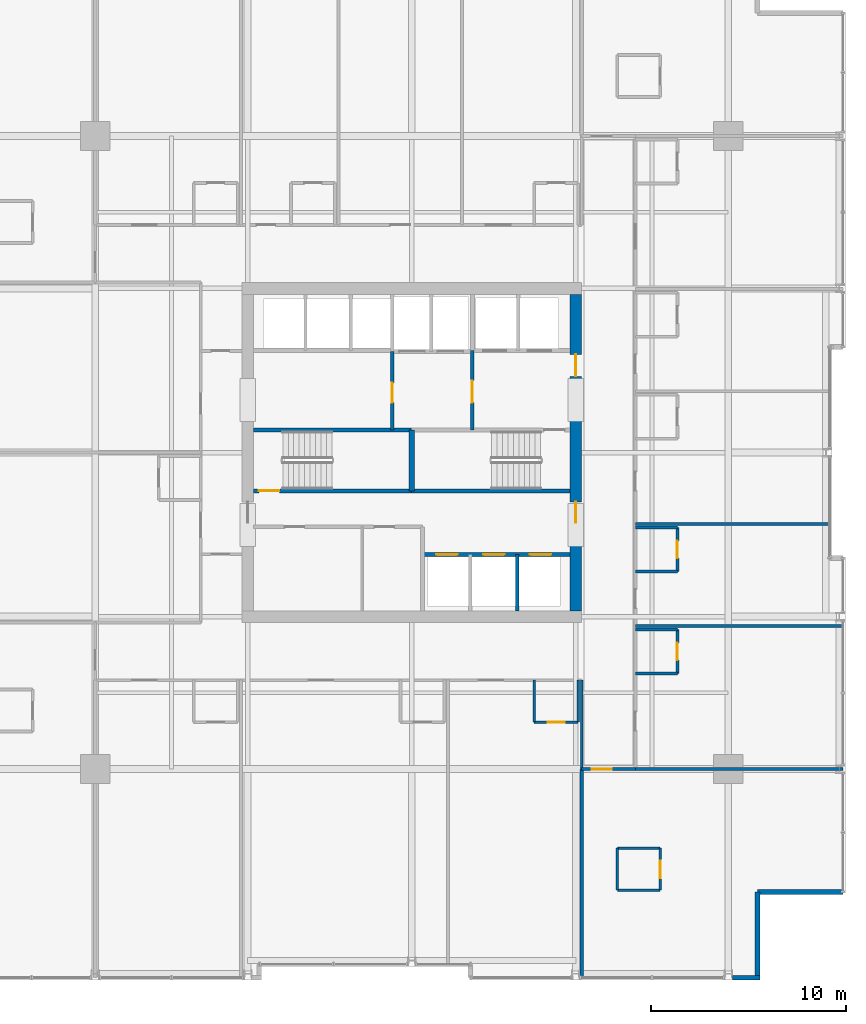
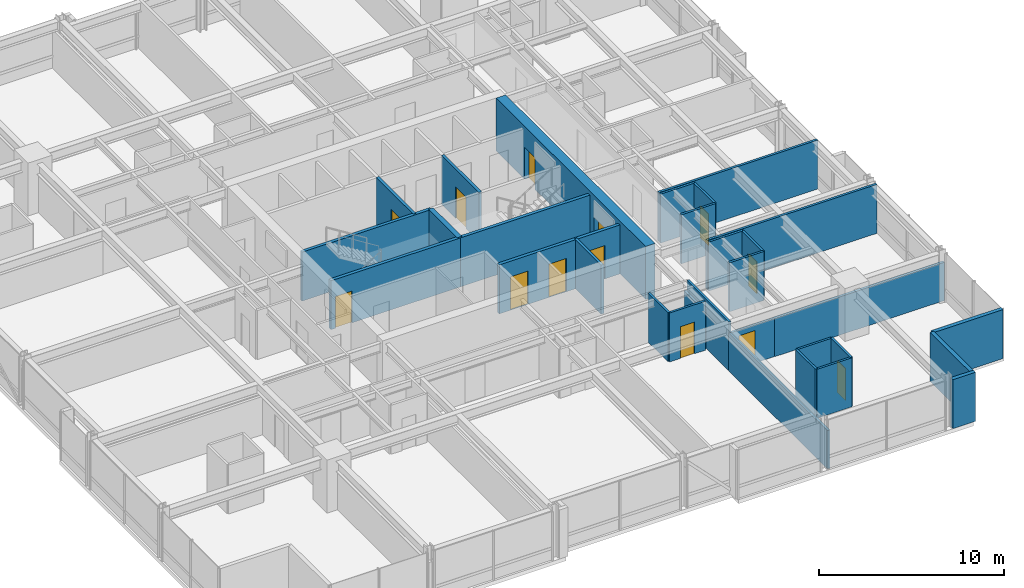
# One storey, part 29 of 35: 31 walls, 13 doors, 13 openings.
"""IFC4 building model written with IfcOpenShell, lengths in metres."""

from ifc_helpers import new_model, si_unit, direction, frame, frame_2d, origin, place, context, subcontext, project, spatial, rectangle, extrude, material, layer, layer_set, type_object, element, fill, save


model = new_model("IFC4")

# Units and contexts
model_context = context("Model", 3, precision=1e-05, world=origin(), true_north=direction((0.0, 1.0)))
body_context = subcontext(model_context, "Body", "Model", "MODEL_VIEW")
ifc_project = project(units=[si_unit("LENGTHUNIT", "METRE"), si_unit("AREAUNIT", "SQUARE_METRE"), si_unit("VOLUMEUNIT", "CUBIC_METRE"), si_unit("PLANEANGLEUNIT", "RADIAN"), si_unit("MASSUNIT", "GRAM", prefix="KILO")], contexts=[model_context])

# Site, building, storey
site_placement = place(None, origin())
site = spatial("IfcSite", under=ifc_project, at=site_placement, CompositionType="ELEMENT")
building_placement = place(site_placement, origin())
building = spatial("IfcBuilding", under=site, at=building_placement, Name="Drelvath Grand Hotel", CompositionType="ELEMENT")
storey_placement = place(building_placement, frame((0.0, 0.0, 130.300048828125)))
storey = spatial("IfcBuildingStorey", under=building, at=storey_placement, Name="L33", CompositionType="ELEMENT", Elevation=130.300048828125)

# Wall, openings, doors
ifc_material_1 = material(Name="Concrete C40/50", Category="concrete")
ifc_layer_1 = layer(ifc_material_1, 0.199951171875)
ifc_layer_set_1 = layer_set([ifc_layer_1], Name="Concrete C40/50")
wall_type_1 = type_object("IfcWallType", Name="Core Hoistway Fire Wall 200", PredefinedType="SOLIDWALL", material=ifc_layer_set_1)
wall_1_placement = place(storey_placement, frame((8.10009765625, 21.780029296875, 0.0), z_axis=(0.0, 0.0, 1.0), x_axis=(-1.0, 0.0, 0.0)))
wall_1 = element("IfcWall", 1, at=wall_1_placement, inside=storey, type_object=wall_type_1, Name="L33 Bank 2 Hoistway Wall", PredefinedType="SOLIDWALL", context=body_context, shape_type="SweptSolid", body=[
    extrude(rectangle(XDim=7.550048828125, YDim=0.199951171875, at=frame_2d((3.77490234375, 0.0))), origin(), (0.0, 0.0, 1.0), 3.239990234375),
])
opening_1_placement = place(wall_1_placement, frame((5.75, 0.0, 0.0)))
opening_1 = element("IfcOpeningElement", 2, at=opening_1_placement, cuts=wall_1, Name="Opening LD-PE-4", PredefinedType="OPENING", context=body_context, shape_type="SweptSolid", body=[
    extrude(rectangle(XDim=1.10009765625, YDim=2.199951171875, at=frame_2d((0.550048828125, 1.10009765625))), frame((0.0, 0.10986328125, 0.0), z_axis=(0.0, -1.0, 0.0), x_axis=(1.0, 0.0, 0.0)), (0.0, 0.0, 1.0), 0.219970703125),
])
opening_2_placement = place(wall_1_placement, frame((3.35009765625, 0.0, 0.0)))
opening_2 = element("IfcOpeningElement", 3, at=opening_2_placement, cuts=wall_1, Name="Opening LD-PE-5", PredefinedType="OPENING", context=body_context, shape_type="SweptSolid", body=[
    extrude(rectangle(XDim=1.10009765625, YDim=2.199951171875, at=frame_2d((0.550048828125, 1.10009765625))), frame((0.0, 0.10986328125, 0.0), z_axis=(0.0, -1.0, 0.0), x_axis=(1.0, 0.0, 0.0)), (0.0, 0.0, 1.0), 0.219970703125),
])
opening_3_placement = place(wall_1_placement, frame((0.949951171875, 0.0, 0.0)))
opening_3 = element("IfcOpeningElement", 4, at=opening_3_placement, cuts=wall_1, Name="Opening LD-PE-6", PredefinedType="OPENING", context=body_context, shape_type="SweptSolid", body=[
    extrude(rectangle(XDim=1.10009765625, YDim=2.199951171875, at=frame_2d((0.550048828125, 1.10009765625))), frame((0.0, 0.10986328125, 0.0), z_axis=(0.0, -1.0, 0.0), x_axis=(1.0, 0.0, 0.0)), (0.0, 0.0, 1.0), 0.219970703125),
])
ifc_material_2 = material(Name="Stainless Steel S355", Category="steel")
door_type_1 = type_object("IfcDoorType", Name="Passenger Lift Sliding Landing Door 1100x2200", OperationType="NOTDEFINED", PredefinedType="DOOR", material=ifc_material_2)
door_1_placement = place(opening_1_placement, origin())
door_1 = element("IfcDoor", 5, at=door_1_placement, inside=storey, type_object=door_type_1, Name="L33 Lift PE-4 Landing Door", OperationType="SLIDING_TO_LEFT", OverallHeight=2.199951171875, OverallWidth=1.10009765625, PredefinedType="DOOR", context=body_context, shape_type="SweptSolid", body=[
    extrude(rectangle(XDim=1.10009765625, YDim=2.199951171875, at=frame_2d((0.550048828125, 1.10009765625))), frame((0.0, 0.02490234375, 0.0), z_axis=(0.0, -1.0, 0.0), x_axis=(1.0, 0.0, 0.0)), (0.0, 0.0, 1.0), 0.050048828125),
])
fill(opening_1, door_1)
door_2_placement = place(opening_2_placement, origin())
door_2 = element("IfcDoor", 6, at=door_2_placement, inside=storey, type_object=door_type_1, Name="L33 Lift PE-5 Landing Door", OperationType="SLIDING_TO_LEFT", OverallHeight=2.199951171875, OverallWidth=1.10009765625, PredefinedType="DOOR", context=body_context, shape_type="SweptSolid", body=[
    extrude(rectangle(XDim=1.10009765625, YDim=2.199951171875, at=frame_2d((0.550048828125, 1.10009765625))), frame((0.0, 0.02490234375, 0.0), z_axis=(0.0, -1.0, 0.0), x_axis=(1.0, 0.0, 0.0)), (0.0, 0.0, 1.0), 0.050048828125),
])
fill(opening_2, door_2)
door_3_placement = place(opening_3_placement, origin())
door_3 = element("IfcDoor", 7, at=door_3_placement, inside=storey, type_object=door_type_1, Name="L33 Lift PE-6 Landing Door", OperationType="SLIDING_TO_LEFT", OverallHeight=2.199951171875, OverallWidth=1.10009765625, PredefinedType="DOOR", context=body_context, shape_type="SweptSolid", body=[
    extrude(rectangle(XDim=1.10009765625, YDim=2.199951171875, at=frame_2d((0.550048828125, 1.10009765625))), frame((0.0, 0.02490234375, 0.0), z_axis=(0.0, -1.0, 0.0), x_axis=(1.0, 0.0, 0.0)), (0.0, 0.0, 1.0), 0.050048828125),
])
fill(opening_3, door_3)

# Wall, opening, door
ifc_layer_2 = layer(ifc_material_1, 0.199951171875)
ifc_layer_set_2 = layer_set([ifc_layer_2], Name="Concrete C40/50")
wall_type_2 = type_object("IfcWallType", Name="Core Shaft Fire Wall 200", PredefinedType="SOLIDWALL", material=ifc_layer_set_2)
wall_2_placement = place(storey_placement, frame((-8.10009765625, 25.0400390625, 0.0), z_axis=(0.0, 0.0, 1.0), x_axis=(1.0, 0.0, 0.0)))
wall_2 = element("IfcWall", 8, at=wall_2_placement, inside=storey, type_object=wall_type_2, Name="L33 Stair ST-1 South Wall", PredefinedType="SOLIDWALL", context=body_context, shape_type="SweptSolid", body=[
    extrude(rectangle(XDim=8.10009765625, YDim=0.199951171875, at=frame_2d((4.050048828125, 0.0))), origin(), (0.0, 0.0, 1.0), 3.239990234375),
])
opening_4_placement = place(wall_2_placement, frame((0.280029296875, 0.0, 0.0)))
opening_4 = element("IfcOpeningElement", 9, at=opening_4_placement, cuts=wall_2, Name="Opening D-T2G4-001", PredefinedType="OPENING", context=body_context, shape_type="SweptSolid", body=[
    extrude(rectangle(XDim=1.050048828125, YDim=2.10009765625, at=frame_2d((0.52490234375, 1.050048828125))), frame((0.0, 0.10986328125, 0.0), z_axis=(0.0, -1.0, 0.0), x_axis=(1.0, 0.0, 0.0)), (0.0, 0.0, 1.0), 0.219970703125),
])
ifc_material_3 = material(Name="Painted Steel S275", Category="steel")
door_type_2 = type_object("IfcDoorType", Name="Tower Stairwell Fire Door 1050x2100", OperationType="NOTDEFINED", PredefinedType="DOOR", material=ifc_material_3)
door_4_placement = place(opening_4_placement, origin())
door_4 = element("IfcDoor", 10, at=door_4_placement, inside=storey, type_object=door_type_2, Name="L33 Exit Stair ST-1 Door", OperationType="SINGLE_SWING_LEFT", OverallHeight=2.10009765625, OverallWidth=1.050048828125, PredefinedType="DOOR", context=body_context, shape_type="SweptSolid", body=[
    extrude(rectangle(XDim=1.050048828125, YDim=2.10009765625, at=frame_2d((0.52490234375, 1.050048828125))), frame((0.0, 0.02490234375, 0.0), z_axis=(0.0, -1.0, 0.0), x_axis=(1.0, 0.0, 0.0)), (0.0, 0.0, 1.0), 0.050048828125),
])
fill(opening_4, door_4)

# Walls
for number, where, z_axis, x_axis, name in (
    (11, (-8.10009765625, 28.159912109375, 0.0), (0.0, 0.0, 1.0), (1.0, 0.0, 0.0), "L33 Stair ST-1 North Wall"),
    (12, (0.0, 25.0400390625, 0.0), (0.0, 0.0, 1.0), (1.0, 0.0, 0.0), "L33 Stair ST-2 South Wall"),
):
    element("IfcWall", number, at=place(storey_placement, frame(where, z_axis=z_axis, x_axis=x_axis)), inside=storey, type_object=wall_type_2, Name=name, PredefinedType="SOLIDWALL", context=body_context, shape_type="SweptSolid", body=[
        extrude(rectangle(XDim=8.10009765625, YDim=0.199951171875, at=frame_2d((4.050048828125, 0.0))), origin(), (0.0, 0.0, 1.0), 3.239990234375),
    ])
ifc_layer_3 = layer(ifc_material_1, 0.300048828125)
ifc_layer_set_3 = layer_set([ifc_layer_3], Name="Concrete C40/50")
wall_type_3 = type_object("IfcWallType", Name="Core Shaft Fire Wall 300", PredefinedType="SOLIDWALL", material=ifc_layer_set_3)
wall_3_placement = place(storey_placement, frame((0.0, 25.0400390625, 0.0), z_axis=(0.0, 0.0, 1.0), x_axis=(0.0, 1.0, 0.0)))
element("IfcWall", 13, at=wall_3_placement, inside=storey, type_object=wall_type_3, Name="L33 Core Stair Divider Wall", PredefinedType="SOLIDWALL", context=body_context, shape_type="SweptSolid", body=[
    extrude(rectangle(XDim=3.119873046875, YDim=0.300048828125, at=frame_2d((1.56005859375, 0.0))), origin(), (0.0, 0.0, 1.0), 3.239990234375),
])
ifc_material_4 = material(Name="Gypsum Fireboard Partition")
ifc_layer_4 = layer(ifc_material_4, 0.1650390625)
ifc_layer_set_4 = layer_set([ifc_layer_4], Name="Gypsum Fireboard Partition")
wall_type_4 = type_object("IfcWallType", Name="Core Shaft Partition 165", PredefinedType="PARTITIONING", material=ifc_layer_set_4)
wall_4_placement = place(storey_placement, frame((5.39990234375, 18.89990234375, 0.0), z_axis=(0.0, 0.0, 1.0), x_axis=(0.0, 1.0, 0.0)))
element("IfcWall", 14, at=wall_4_placement, inside=storey, type_object=wall_type_4, Name="L33 Lift PE-5/6 Divider", PredefinedType="PARTITIONING", context=body_context, shape_type="SweptSolid", body=[
    extrude(rectangle(XDim=2.880126953125, YDim=0.1650390625, at=frame_2d((1.43994140625, 0.0))), origin(), (0.0, 0.0, 1.0), 3.239990234375),
])
ifc_layer_5 = layer(ifc_material_4, 0.135009765625)
ifc_layer_set_5 = layer_set([ifc_layer_5], Name="Gypsum Fireboard Partition")
wall_type_5 = type_object("IfcWallType", Name="Corridor Fire Barrier Wall 135", PredefinedType="PARTITIONING", material=ifc_layer_set_5)
wall_5_placement = place(storey_placement, frame((8.699951171875, 10.800048828125, 0.0), z_axis=(0.0, 0.0, 1.0), x_axis=(0.0, 1.0, 0.0)))
element("IfcWall", 15, at=wall_5_placement, inside=storey, type_object=wall_type_5, Name="L33 East Spine South Inner Wall", PredefinedType="PARTITIONING", context=body_context, shape_type="SweptSolid", body=[
    extrude(rectangle(XDim=4.550048828125, YDim=0.135009765625, at=frame_2d((2.27490234375, 0.0))), origin(), (0.0, 0.0, 1.0), 3.239990234375),
])

# Wall, opening, door
wall_6_placement = place(storey_placement, frame((8.699951171875, 10.800048828125, 0.0), z_axis=(0.0, 0.0, 1.0), x_axis=(1.0, 0.0, 0.0)))
wall_6 = element("IfcWall", 16, at=wall_6_placement, inside=storey, type_object=wall_type_5, Name="L33 East Spine South End", PredefinedType="PARTITIONING", context=body_context, shape_type="SweptSolid", body=[
    extrude(rectangle(XDim=2.75, YDim=0.135009765625, at=frame_2d((1.375, 0.0))), origin(), (0.0, 0.0, 1.0), 2.529541015625),
])
opening_5_placement = place(wall_6_placement, frame((0.52001953125, 0.0, 0.0)))
opening_5 = element("IfcOpeningElement", 17, at=opening_5_placement, cuts=wall_6, Name="Opening D-T2G4-024", PredefinedType="OPENING", context=body_context, shape_type="SweptSolid", body=[
    extrude(rectangle(XDim=1.02001953125, YDim=2.14990234375, at=frame_2d((0.510009765625, 1.074951171875))), frame((0.0, 0.077392578125, 0.0), z_axis=(0.0, -1.0, 0.0), x_axis=(1.0, 0.0, 0.0)), (0.0, 0.0, 1.0), 0.155029296875),
])
ifc_material_5 = material(Name="Hardwood Walnut Timber", Category="wood")
door_type_3 = type_object("IfcDoorType", Name="Amenity Meeting Fire Door 1020x2150", OperationType="NOTDEFINED", PredefinedType="DOOR", material=ifc_material_5)
door_5_placement = place(opening_5_placement, origin())
door_5 = element("IfcDoor", 18, at=door_5_placement, inside=storey, type_object=door_type_3, Name="L33 Corner Suite Entry Door", OperationType="SINGLE_SWING_LEFT", OverallHeight=2.14990234375, OverallWidth=1.02001953125, PredefinedType="DOOR", context=body_context, shape_type="SweptSolid", body=[
    extrude(rectangle(XDim=1.02001953125, YDim=2.14990234375, at=frame_2d((0.510009765625, 1.074951171875))), frame((0.0, 0.02490234375, 0.0), z_axis=(0.0, -1.0, 0.0), x_axis=(1.0, 0.0, 0.0)), (0.0, 0.0, 1.0), 0.050048828125),
])
fill(opening_5, door_5)

# Walls
ifc_material_6 = material(Name="Moisture-Resistant Gypsum Board")
ifc_layer_6 = layer(ifc_material_6, 0.139892578125)
ifc_layer_set_6 = layer_set([ifc_layer_6], Name="Moisture-Resistant Gypsum Board")
wall_type_6 = type_object("IfcWallType", Name="En-Suite Plumbing Wall 140", PredefinedType="PLUMBINGWALL", material=ifc_layer_set_6)
for number, where, z_axis, x_axis, name in (
    (19, (10.52001953125, 4.60009765625, 0.0), (0.0, 0.0, 1.0), (1.0, 0.0, 0.0), "L33 Corner En-Suite South"),
    (20, (10.52001953125, 6.75, 0.0), (0.0, 0.0, 1.0), (1.0, 0.0, 0.0), "L33 Corner En-Suite North"),
):
    element("IfcWall", number, at=place(storey_placement, frame(where, z_axis=z_axis, x_axis=x_axis)), inside=storey, type_object=wall_type_6, Name=name, PredefinedType="PLUMBINGWALL", context=body_context, shape_type="SweptSolid", body=[
        extrude(rectangle(XDim=2.199951171875, YDim=0.139892578125, at=frame_2d((1.10009765625, 0.0))), origin(), (0.0, 0.0, 1.0), 3.239990234375),
    ])
wall_7_placement = place(storey_placement, frame((10.52001953125, 4.60009765625, 0.0), z_axis=(0.0, 0.0, 1.0), x_axis=(0.0, 1.0, 0.0)))
element("IfcWall", 21, at=wall_7_placement, inside=storey, type_object=wall_type_6, Name="L33 Corner En-Suite West", PredefinedType="PLUMBINGWALL", context=body_context, shape_type="SweptSolid", body=[
    extrude(rectangle(XDim=2.14990234375, YDim=0.139892578125, at=frame_2d((1.074951171875, 0.0))), origin(), (0.0, 0.0, 1.0), 3.239990234375),
])

# Wall, opening, door
wall_8_placement = place(storey_placement, frame((12.719970703125, 4.60009765625, 0.0), z_axis=(0.0, 0.0, 1.0), x_axis=(0.0, 1.0, 0.0)))
wall_8 = element("IfcWall", 22, at=wall_8_placement, inside=storey, type_object=wall_type_6, Name="L33 Corner En-Suite East", PredefinedType="PLUMBINGWALL", context=body_context, shape_type="SweptSolid", body=[
    extrude(rectangle(XDim=2.14990234375, YDim=0.139892578125, at=frame_2d((1.074951171875, 0.0))), origin(), (0.0, 0.0, 1.0), 3.239990234375),
])
opening_6_placement = place(wall_8_placement, frame((0.6201171875, 0.0, 0.0)))
opening_6 = element("IfcOpeningElement", 23, at=opening_6_placement, cuts=wall_8, Name="Opening D-T2G4-023", PredefinedType="OPENING", context=body_context, shape_type="SweptSolid", body=[
    extrude(rectangle(XDim=0.8798828125, YDim=2.10009765625, at=frame_2d((0.43994140625, 1.050048828125))), frame((0.0, 0.079833984375, 0.0), z_axis=(0.0, -1.0, 0.0), x_axis=(1.0, 0.0, 0.0)), (0.0, 0.0, 1.0), 0.159912109375),
])
door_type_4 = type_object("IfcDoorType", Name="En-Suite Bathroom Door 880x2100", OperationType="NOTDEFINED", PredefinedType="DOOR", material=ifc_material_5)
door_6_placement = place(opening_6_placement, origin())
door_6 = element("IfcDoor", 24, at=door_6_placement, inside=storey, type_object=door_type_4, Name="L33 Corner En-Suite Door", OperationType="SINGLE_SWING_RIGHT", OverallHeight=2.10009765625, OverallWidth=0.8798828125, PredefinedType="DOOR", context=body_context, shape_type="SweptSolid", body=[
    extrude(rectangle(XDim=0.8798828125, YDim=2.10009765625, at=frame_2d((0.43994140625, 1.050048828125))), frame((0.0, 0.02490234375, 0.0), z_axis=(0.0, -1.0, 0.0), x_axis=(1.0, 0.0, 0.0)), (0.0, 0.0, 1.0), 0.050048828125),
])
fill(opening_6, door_6)

# Walls
wall_9_placement = place(storey_placement, frame((6.27001953125, 15.35009765625, 0.0), z_axis=(0.0, 0.0, 1.0), x_axis=(0.0, -1.0, 0.0)))
element("IfcWall", 25, at=wall_9_placement, inside=storey, type_object=wall_type_6, Name="L33 En-Suite Left Wall", PredefinedType="PLUMBINGWALL", context=body_context, shape_type="SweptSolid", body=[
    extrude(rectangle(XDim=2.150146484375, YDim=0.139892578125, at=frame_2d((1.0751953125, 0.0))), origin(), (0.0, 0.0, 1.0), 3.239990234375),
])
wall_10_placement = place(storey_placement, frame((8.52001953125, 15.35009765625, 0.0), z_axis=(0.0, 0.0, 1.0), x_axis=(0.0, -1.0, 0.0)))
element("IfcWall", 26, at=wall_10_placement, inside=storey, type_object=wall_type_6, Name="L33 En-Suite Right Wall", PredefinedType="PLUMBINGWALL", context=body_context, shape_type="SweptSolid", body=[
    extrude(rectangle(XDim=2.150146484375, YDim=0.139892578125, at=frame_2d((1.0751953125, 0.0))), origin(), (0.0, 0.0, 1.0), 2.617431640625),
])

# Wall, opening, door
wall_11_placement = place(storey_placement, frame((6.27001953125, 13.199951171875, 0.0), z_axis=(0.0, 0.0, 1.0), x_axis=(1.0, 0.0, 0.0)))
wall_11 = element("IfcWall", 27, at=wall_11_placement, inside=storey, type_object=wall_type_6, Name="L33 En-Suite Front Wall", PredefinedType="PLUMBINGWALL", context=body_context, shape_type="SweptSolid", body=[
    extrude(rectangle(XDim=2.25, YDim=0.139892578125, at=frame_2d((1.125, 0.0))), origin(), (0.0, 0.0, 1.0), 3.239990234375),
])
opening_7_placement = place(wall_11_placement, frame((0.68505859375, 0.0, 0.0)))
opening_7 = element("IfcOpeningElement", 28, at=opening_7_placement, cuts=wall_11, Name="Opening D-T2G4-031", PredefinedType="OPENING", context=body_context, shape_type="SweptSolid", body=[
    extrude(rectangle(XDim=0.8798828125, YDim=2.10009765625, at=frame_2d((0.43994140625, 1.050048828125))), frame((0.0, 0.079833984375, 0.0), z_axis=(0.0, -1.0, 0.0), x_axis=(1.0, 0.0, 0.0)), (0.0, 0.0, 1.0), 0.159912109375),
])
door_7_placement = place(opening_7_placement, origin())
door_7 = element("IfcDoor", 29, at=door_7_placement, inside=storey, type_object=door_type_4, Name="L33 En-Suite Bathroom Door", OperationType="SINGLE_SWING_RIGHT", OverallHeight=2.10009765625, OverallWidth=0.8798828125, PredefinedType="DOOR", context=body_context, shape_type="SweptSolid", body=[
    extrude(rectangle(XDim=0.8798828125, YDim=2.10009765625, at=frame_2d((0.43994140625, 1.050048828125))), frame((0.0, 0.02490234375, 0.0), z_axis=(0.0, -1.0, 0.0), x_axis=(1.0, 0.0, 0.0)), (0.0, 0.0, 1.0), 0.050048828125),
])
fill(opening_7, door_7)

# Walls
for number, where, z_axis, x_axis, name in (
    (30, (11.449951171875, 15.68603515625, 0.0), (0.0, 0.0, 1.0), (1.0, 0.0, 0.0), "L33 En-Suite Left Wall"),
    (31, (11.449951171875, 17.93603515625, 0.0), (0.0, 0.0, 1.0), (1.0, 0.0, 0.0), "L33 En-Suite Right Wall"),
):
    element("IfcWall", number, at=place(storey_placement, frame(where, z_axis=z_axis, x_axis=x_axis)), inside=storey, type_object=wall_type_6, Name=name, PredefinedType="PLUMBINGWALL", context=body_context, shape_type="SweptSolid", body=[
        extrude(rectangle(XDim=2.150146484375, YDim=0.139892578125, at=frame_2d((1.0751953125, 0.0))), origin(), (0.0, 0.0, 1.0), 3.239990234375),
    ])

# Wall, opening, door
wall_12_placement = place(storey_placement, frame((13.60009765625, 15.68603515625, 0.0), z_axis=(0.0, 0.0, 1.0), x_axis=(0.0, 1.0, 0.0)))
wall_12 = element("IfcWall", 32, at=wall_12_placement, inside=storey, type_object=wall_type_6, Name="L33 En-Suite Front Wall", PredefinedType="PLUMBINGWALL", context=body_context, shape_type="SweptSolid", body=[
    extrude(rectangle(XDim=2.25, YDim=0.139892578125, at=frame_2d((1.125, 0.0))), origin(), (0.0, 0.0, 1.0), 3.239990234375),
])
opening_8_placement = place(wall_12_placement, frame((0.68505859375, 0.0, 0.0)))
opening_8 = element("IfcOpeningElement", 33, at=opening_8_placement, cuts=wall_12, Name="Opening D-T2G4-040", PredefinedType="OPENING", context=body_context, shape_type="SweptSolid", body=[
    extrude(rectangle(XDim=0.8798828125, YDim=2.10009765625, at=frame_2d((0.43994140625, 1.050048828125))), frame((0.0, 0.079833984375, 0.0), z_axis=(0.0, -1.0, 0.0), x_axis=(1.0, 0.0, 0.0)), (0.0, 0.0, 1.0), 0.159912109375),
])
door_8_placement = place(opening_8_placement, origin())
door_8 = element("IfcDoor", 34, at=door_8_placement, inside=storey, type_object=door_type_4, Name="L33 En-Suite Bathroom Door", OperationType="SINGLE_SWING_LEFT", OverallHeight=2.10009765625, OverallWidth=0.8798828125, PredefinedType="DOOR", context=body_context, shape_type="SweptSolid", body=[
    extrude(rectangle(XDim=0.8798828125, YDim=2.10009765625, at=frame_2d((0.43994140625, 1.050048828125))), frame((0.0, 0.02490234375, 0.0), z_axis=(0.0, -1.0, 0.0), x_axis=(1.0, 0.0, 0.0)), (0.0, 0.0, 1.0), 0.050048828125),
])
fill(opening_8, door_8)

# Walls
for number, where, z_axis, x_axis, name in (
    (35, (11.449951171875, 20.911865234375, 0.0), (0.0, 0.0, 1.0), (1.0, 0.0, 0.0), "L33 En-Suite Left Wall"),
    (36, (11.449951171875, 23.161865234375, 0.0), (0.0, 0.0, 1.0), (1.0, 0.0, 0.0), "L33 En-Suite Right Wall"),
):
    element("IfcWall", number, at=place(storey_placement, frame(where, z_axis=z_axis, x_axis=x_axis)), inside=storey, type_object=wall_type_6, Name=name, PredefinedType="PLUMBINGWALL", context=body_context, shape_type="SweptSolid", body=[
        extrude(rectangle(XDim=2.150146484375, YDim=0.139892578125, at=frame_2d((1.0751953125, 0.0))), origin(), (0.0, 0.0, 1.0), 3.239990234375),
    ])

# Wall, opening, door
wall_13_placement = place(storey_placement, frame((13.60009765625, 20.911865234375, 0.0), z_axis=(0.0, 0.0, 1.0), x_axis=(0.0, 1.0, 0.0)))
wall_13 = element("IfcWall", 37, at=wall_13_placement, inside=storey, type_object=wall_type_6, Name="L33 En-Suite Front Wall", PredefinedType="PLUMBINGWALL", context=body_context, shape_type="SweptSolid", body=[
    extrude(rectangle(XDim=2.25, YDim=0.139892578125, at=frame_2d((1.125, 0.0))), origin(), (0.0, 0.0, 1.0), 3.239990234375),
])
opening_9_placement = place(wall_13_placement, frame((0.68505859375, 0.0, 0.0)))
opening_9 = element("IfcOpeningElement", 38, at=opening_9_placement, cuts=wall_13, Name="Opening D-T2G4-042", PredefinedType="OPENING", context=body_context, shape_type="SweptSolid", body=[
    extrude(rectangle(XDim=0.8798828125, YDim=2.10009765625, at=frame_2d((0.43994140625, 1.050048828125))), frame((0.0, 0.079833984375, 0.0), z_axis=(0.0, -1.0, 0.0), x_axis=(1.0, 0.0, 0.0)), (0.0, 0.0, 1.0), 0.159912109375),
])
door_9_placement = place(opening_9_placement, origin())
door_9 = element("IfcDoor", 39, at=door_9_placement, inside=storey, type_object=door_type_4, Name="L33 En-Suite Bathroom Door", OperationType="SINGLE_SWING_LEFT", OverallHeight=2.10009765625, OverallWidth=0.8798828125, PredefinedType="DOOR", context=body_context, shape_type="SweptSolid", body=[
    extrude(rectangle(XDim=0.8798828125, YDim=2.10009765625, at=frame_2d((0.43994140625, 1.050048828125))), frame((0.0, 0.02490234375, 0.0), z_axis=(0.0, -1.0, 0.0), x_axis=(1.0, 0.0, 0.0)), (0.0, 0.0, 1.0), 0.050048828125),
])
fill(opening_9, door_9)

ifc_layer_7 = layer(ifc_material_4, 0.179931640625)
ifc_layer_set_7 = layer_set([ifc_layer_7], Name="Gypsum Fireboard Partition")
wall_type_7 = type_object("IfcWallType", Name="FSAE Smoke Lobby Fire Wall 180", PredefinedType="SOLIDWALL", material=ifc_layer_set_7)
wall_14_placement = place(storey_placement, frame((3.10009765625, 28.159912109375, 0.0), z_axis=(0.0, 0.0, 1.0), x_axis=(0.0, 1.0, 0.0)))
wall_14 = element("IfcWall", 40, at=wall_14_placement, inside=storey, type_object=wall_type_7, Name="L33 FSAE Smoke Lobby West Wall", PredefinedType="SOLIDWALL", context=body_context, shape_type="SweptSolid", body=[
    extrude(rectangle(XDim=4.06005859375, YDim=0.179931640625, at=frame_2d((2.030029296875, 0.0))), origin(), (0.0, 0.0, 1.0), 3.239990234375),
])
opening_10_placement = place(wall_14_placement, frame((1.39990234375, 0.0, 0.0)))
opening_10 = element("IfcOpeningElement", 41, at=opening_10_placement, cuts=wall_14, Name="Opening D-T2G4-005", PredefinedType="OPENING", context=body_context, shape_type="SweptSolid", body=[
    extrude(rectangle(XDim=1.1201171875, YDim=2.10009765625, at=frame_2d((0.56005859375, 1.050048828125))), frame((0.0, 0.099853515625, 0.0), z_axis=(0.0, -1.0, 0.0), x_axis=(1.0, 0.0, 0.0)), (0.0, 0.0, 1.0), 0.199951171875),
])
door_type_5 = type_object("IfcDoorType", Name="FSAE Smoke Lobby Fire Door 1120x2100", OperationType="NOTDEFINED", PredefinedType="DOOR", material=ifc_material_3)
door_10_placement = place(opening_10_placement, origin())
door_10 = element("IfcDoor", 42, at=door_10_placement, inside=storey, type_object=door_type_5, Name="L33 FSAE Lobby Service Vestibule Door", OperationType="SINGLE_SWING_RIGHT", OverallHeight=2.10009765625, OverallWidth=1.1201171875, PredefinedType="DOOR", context=body_context, shape_type="SweptSolid", body=[
    extrude(rectangle(XDim=1.1201171875, YDim=2.10009765625, at=frame_2d((0.56005859375, 1.050048828125))), frame((0.0, 0.02490234375, 0.0), z_axis=(0.0, -1.0, 0.0), x_axis=(1.0, 0.0, 0.0)), (0.0, 0.0, 1.0), 0.050048828125),
])
fill(opening_10, door_10)

wall_15_placement = place(storey_placement, frame((-1.0, 28.159912109375, 0.0), z_axis=(0.0, 0.0, 1.0), x_axis=(0.0, 1.0, 0.0)))
wall_15 = element("IfcWall", 43, at=wall_15_placement, inside=storey, type_object=wall_type_7, Name="L33 Service Vestibule West Wall", PredefinedType="SOLIDWALL", context=body_context, shape_type="SweptSolid", body=[
    extrude(rectangle(XDim=4.02001953125, YDim=0.179931640625, at=frame_2d((2.010009765625, 0.0))), origin(), (0.0, 0.0, 1.0), 3.239990234375),
])
opening_11_placement = place(wall_15_placement, frame((1.39990234375, 0.0, 0.0)))
opening_11 = element("IfcOpeningElement", 44, at=opening_11_placement, cuts=wall_15, Name="Opening D-T2G4-009", PredefinedType="OPENING", context=body_context, shape_type="SweptSolid", body=[
    extrude(rectangle(XDim=1.0, YDim=2.10009765625, at=frame_2d((0.5, 1.050048828125))), frame((0.0, 0.099853515625, 0.0), z_axis=(0.0, -1.0, 0.0), x_axis=(1.0, 0.0, 0.0)), (0.0, 0.0, 1.0), 0.199951171875),
])
door_type_6 = type_object("IfcDoorType", Name="Core Service Fire Door 1000x2100", OperationType="NOTDEFINED", PredefinedType="DOOR", material=ifc_material_3)
door_11_placement = place(opening_11_placement, origin())
door_11 = element("IfcDoor", 45, at=door_11_placement, inside=storey, type_object=door_type_6, Name="L33 Service Vestibule West Door", OperationType="SINGLE_SWING_LEFT", OverallHeight=2.10009765625, OverallWidth=1.0, PredefinedType="DOOR", context=body_context, shape_type="SweptSolid", body=[
    extrude(rectangle(XDim=1.0, YDim=2.10009765625, at=frame_2d((0.5, 1.050048828125))), frame((0.0, 0.02490234375, 0.0), z_axis=(0.0, -1.0, 0.0), x_axis=(1.0, 0.0, 0.0)), (0.0, 0.0, 1.0), 0.050048828125),
])
fill(opening_11, door_11)

# Walls
ifc_material_7 = material(Name="Gypsum Acoustic Partition")
ifc_layer_8 = layer(ifc_material_7, 0.14990234375)
ifc_layer_set_8 = layer_set([ifc_layer_8], Name="Gypsum Acoustic Partition")
wall_type_8 = type_object("IfcWallType", Name="Guestroom Demising Wall 150", PredefinedType="PARTITIONING", material=ifc_layer_set_8)
wall_16_placement = place(storey_placement, frame((11.449951171875, 18.1162109375, 0.0), z_axis=(0.0, 0.0, 1.0), x_axis=(1.0, 0.0, 0.0)))
element("IfcWall", 46, at=wall_16_placement, inside=storey, type_object=wall_type_8, Name="L33 East Demising 1", PredefinedType="PARTITIONING", context=body_context, shape_type="SweptSolid", body=[
    extrude(rectangle(XDim=10.630126953125, YDim=0.14990234375, at=frame_2d((5.31494140625, 0.0))), origin(), (0.0, 0.0, 1.0), 3.239990234375),
])
wall_17_placement = place(storey_placement, frame((11.449951171875, 23.341796875, 0.0), z_axis=(0.0, 0.0, 1.0), x_axis=(1.0, 0.0, 0.0)))
element("IfcWall", 47, at=wall_17_placement, inside=storey, type_object=wall_type_8, Name="L33 East Demising 2", PredefinedType="PARTITIONING", context=body_context, shape_type="SweptSolid", body=[
    extrude(rectangle(XDim=9.949951171875, YDim=0.14990234375, at=frame_2d((4.97509765625, 0.0))), origin(), (0.0, 0.0, 1.0), 3.239990234375),
])

# Wall, openings, doors
ifc_material_8 = material(Name="Concrete f'c 70 MPa", Category="concrete")
ifc_layer_9 = layer(ifc_material_8, 0.60009765625)
ifc_layer_set_9 = layer_set([ifc_layer_9], Name="Concrete f'c 70 MPa")
wall_type_9 = type_object("IfcWallType", Name="Lower Core RC Shear Wall 600", PredefinedType="SHEAR", material=ifc_layer_set_9)
wall_18_placement = place(storey_placement, frame((8.39990234375, 35.10009765625, 0.0), z_axis=(0.0, 0.0, 1.0), x_axis=(0.0, -1.0, 0.0)))
wall_18 = element("IfcWall", 48, at=wall_18_placement, inside=storey, type_object=wall_type_9, Name="L33 Central Core Shear Wall E", PredefinedType="SHEAR", context=body_context, shape_type="SweptSolid", body=[
    extrude(rectangle(XDim=16.2001953125, YDim=0.60009765625, at=frame_2d((8.10009765625, 0.0))), origin(), (0.0, 0.0, 1.0), 3.5),
])
opening_12_placement = place(wall_18_placement, frame((3.080078125, 0.0, 0.0)))
opening_12 = element("IfcOpeningElement", 49, at=opening_12_placement, cuts=wall_18, Name="Opening D-T2G4-006", PredefinedType="OPENING", context=body_context, shape_type="SweptSolid", body=[
    extrude(rectangle(XDim=1.1201171875, YDim=2.10009765625, at=frame_2d((0.56005859375, 1.050048828125))), frame((0.0, 0.31005859375, 0.0), z_axis=(0.0, -1.0, 0.0), x_axis=(1.0, 0.0, 0.0)), (0.0, 0.0, 1.0), 0.6201171875),
])
opening_13_placement = place(wall_18_placement, frame((10.6201171875, 0.0, 0.0)))
opening_13 = element("IfcOpeningElement", 50, at=opening_13_placement, cuts=wall_18, Name="Opening D-T2G4-014", PredefinedType="OPENING", context=body_context, shape_type="SweptSolid", body=[
    extrude(rectangle(XDim=1.080078125, YDim=2.0400390625, at=frame_2d((0.5400390625, 1.02001953125))), frame((0.0, 0.31005859375, 0.0), z_axis=(0.0, -1.0, 0.0), x_axis=(1.0, 0.0, 0.0)), (0.0, 0.0, 1.0), 0.6201171875),
])
door_type_7 = type_object("IfcDoorType", Name="Core Corridor Fire Door 1080x2100", OperationType="NOTDEFINED", PredefinedType="DOOR", material=ifc_material_3)
door_12_placement = place(opening_13_placement, origin())
door_12 = element("IfcDoor", 51, at=door_12_placement, inside=storey, type_object=door_type_7, Name="L33 Mid-Rise Lobby East Door", OperationType="SINGLE_SWING_LEFT", OverallHeight=2.0400390625, OverallWidth=1.080078125, PredefinedType="DOOR", context=body_context, shape_type="SweptSolid", body=[
    extrude(rectangle(XDim=1.080078125, YDim=2.0400390625, at=frame_2d((0.5400390625, 1.02001953125))), frame((0.0, 0.02490234375, 0.0), z_axis=(0.0, -1.0, 0.0), x_axis=(1.0, 0.0, 0.0)), (0.0, 0.0, 1.0), 0.050048828125),
])
fill(opening_13, door_12)
door_13_placement = place(opening_12_placement, origin())
door_13 = element("IfcDoor", 52, at=door_13_placement, inside=storey, type_object=door_type_5, Name="L33 FSAE Lobby East Corridor Door", OperationType="SINGLE_SWING_LEFT", OverallHeight=2.10009765625, OverallWidth=1.1201171875, PredefinedType="DOOR", context=body_context, shape_type="SweptSolid", body=[
    extrude(rectangle(XDim=1.1201171875, YDim=2.10009765625, at=frame_2d((0.56005859375, 1.050048828125))), frame((0.0, 0.02490234375, 0.0), z_axis=(0.0, -1.0, 0.0), x_axis=(1.0, 0.0, 0.0)), (0.0, 0.0, 1.0), 0.050048828125),
])
fill(opening_12, door_13)

# Walls
ifc_layer_10 = layer(ifc_material_7, 0.1650390625)
ifc_layer_set_10 = layer_set([ifc_layer_10], Name="Gypsum Acoustic Partition")
wall_type_10 = type_object("IfcWallType", Name="Suite Demising Wall 165", PredefinedType="PARTITIONING", material=ifc_layer_set_10)
wall_19_placement = place(storey_placement, frame((8.699951171875, 0.1201171875, 0.0), z_axis=(0.0, 0.0, 1.0), x_axis=(0.0, 1.0, 0.0)))
element("IfcWall", 53, at=wall_19_placement, inside=storey, type_object=wall_type_10, Name="L33 SE Suite West Wall", PredefinedType="PARTITIONING", context=body_context, shape_type="SweptSolid", body=[
    extrude(rectangle(XDim=10.679931640625, YDim=0.1650390625, at=frame_2d((5.33984375, 0.0))), origin(), (0.0, 0.0, 1.0), 2.529541015625),
])
wall_20_placement = place(storey_placement, frame((11.449951171875, 10.800048828125, 0.0), z_axis=(0.0, 0.0, 1.0), x_axis=(1.0, 0.0, 0.0)))
element("IfcWall", 54, at=wall_20_placement, inside=storey, type_object=wall_type_10, Name="L33 SE Suite North Wall", PredefinedType="PARTITIONING", context=body_context, shape_type="SweptSolid", body=[
    extrude(rectangle(XDim=10.630126953125, YDim=0.1650390625, at=frame_2d((5.31494140625, 0.0))), origin(), (0.0, 0.0, 1.0), 2.529541015625),
])
ifc_material_9 = material(Name="Pale-Metal Insulated Aluminium Spandrel Assembly", Category="aluminium")
ifc_layer_11 = layer(ifc_material_9, 0.239990234375)
ifc_layer_set_11 = layer_set([ifc_layer_11], Name="Pale-Metal Insulated Aluminium Spandrel Assembly")
wall_type_11 = type_object("IfcWallType", Name="Tower Insulated Metal Spandrel Closure Wall 240", PredefinedType="STANDARD", material=ifc_layer_set_11)
wall_21_placement = place(storey_placement, frame((17.820068359375, 0.1201171875, 0.0), z_axis=(0.0, 0.0, 1.0), x_axis=(-1.0, 0.0, 0.0)))
element("IfcWall", 55, at=wall_21_placement, inside=storey, type_object=wall_type_11, Name="L33 Corner Pier Spandrel Wall SE3", PredefinedType="STANDARD", context=body_context, shape_type="SweptSolid", body=[
    extrude(rectangle(XDim=1.41064453125, YDim=0.239990234375, at=frame_2d((0.705322265625, 0.0))), origin(), (0.0, 0.0, 1.0), 3.239990234375),
])
wall_22_placement = place(storey_placement, frame((22.080078125, 4.5, 0.0), z_axis=(0.0, 0.0, 1.0), x_axis=(-1.0, 0.0, 0.0)))
element("IfcWall", 56, at=wall_22_placement, inside=storey, type_object=wall_type_11, Name="L33 Notched Corner Return Spandrel Wall CSE1", PredefinedType="STANDARD", context=body_context, shape_type="SweptSolid", body=[
    extrude(rectangle(XDim=4.380126953125, YDim=0.239990234375, at=frame_2d((2.18994140625, 0.0))), origin(), (0.0, 0.0, 1.0), 3.239990234375),
])
wall_23_placement = place(storey_placement, frame((17.699951171875, 4.5, 0.0), z_axis=(0.0, 0.0, 1.0), x_axis=(0.0, -1.0, 0.0)))
element("IfcWall", 57, at=wall_23_placement, inside=storey, type_object=wall_type_11, Name="L33 Notched Corner Return Spandrel Wall CSE2", PredefinedType="STANDARD", context=body_context, shape_type="SweptSolid", body=[
    extrude(rectangle(XDim=4.260009765625, YDim=0.239990234375, at=frame_2d((2.1298828125, 0.0))), origin(), (0.0, 0.0, 1.0), 3.239990234375),
])

save(model, "model.ifc")
